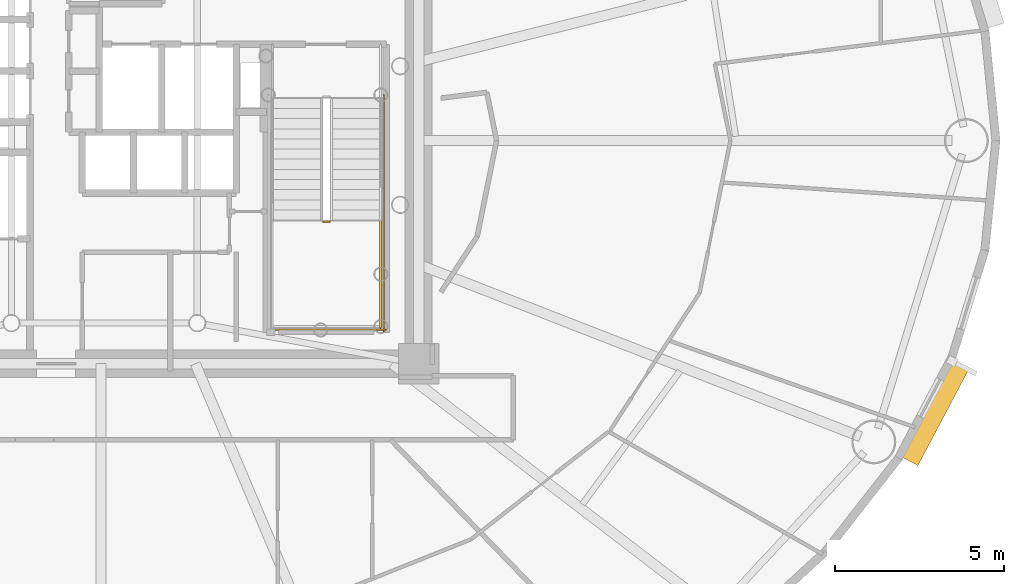
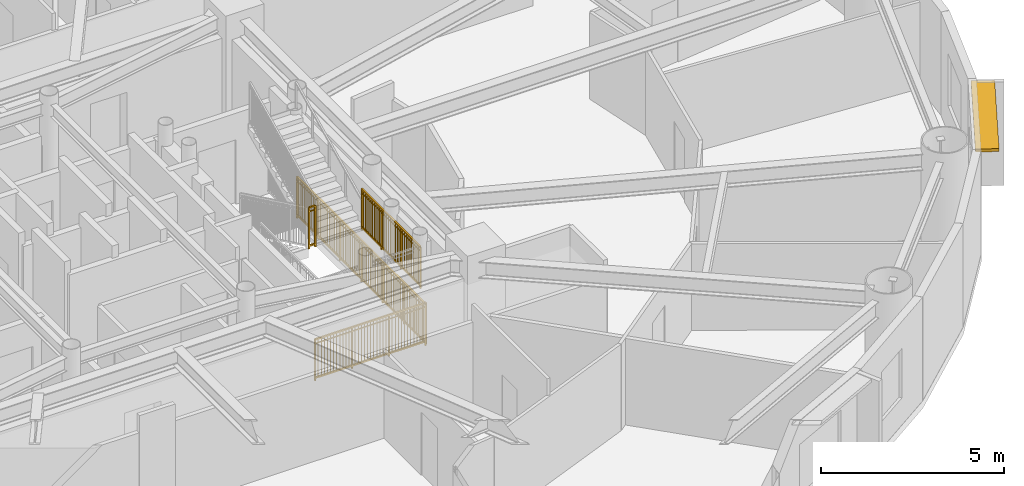
# One storey, part 16 of 17: 4 railings, 1 shading device.
"""IFC4 building model written with IfcOpenShell, lengths in metres."""

from ifc_helpers import new_model, si_unit, direction, frame, origin, origin_2d, place, context, subcontext, project, spatial, rectangle, extrude, source, transform, mapped, material, layer, layer_set, type_object, element, save


model = new_model("IFC4")

# Units and contexts
model_context = context("Model", 3, precision=1e-05, world=origin(), true_north=direction((0.0, 1.0)))
body_context = subcontext(model_context, "Body", "Model", "MODEL_VIEW")
ifc_project = project(units=[si_unit("LENGTHUNIT", "METRE"), si_unit("AREAUNIT", "SQUARE_METRE"), si_unit("VOLUMEUNIT", "CUBIC_METRE"), si_unit("PLANEANGLEUNIT", "RADIAN"), si_unit("MASSUNIT", "GRAM", prefix="KILO")], contexts=[model_context])

# Site, building, storey
site_placement = place(None, origin())
site = spatial("IfcSite", under=ifc_project, at=site_placement, CompositionType="ELEMENT")
building_placement = place(site_placement, origin())
building = spatial("IfcBuilding", under=site, at=building_placement, Name="Linh Dai School and Residence Tower", CompositionType="ELEMENT")
storey_placement = place(building_placement, frame((0.0, 0.0, 201.14990234375)))
storey = spatial("IfcBuildingStorey", under=building, at=storey_placement, Name="L49", CompositionType="ELEMENT", Elevation=201.14990234375)

# Shading device
ifc_material_1 = material(Name="Terracotta Ceramic Sunshade", Category="masonry")
ifc_layer = layer(ifc_material_1, 0.10009765625)
ifc_layer_set = layer_set([ifc_layer], Name="Terracotta Ceramic Sunshade")
shading_device_type = type_object("IfcShadingDeviceType", Name="SHD-TC-650", PredefinedType="USERDEFINED", material=ifc_layer_set)
shared_shape_1 = source(origin(), body_context, "Body", "SweptSolid", [
    extrude(rectangle(XDim=3.257568359375, YDim=0.64990234375, at=origin_2d()), origin(), (0.0, 0.0, 1.0), 0.10009765625),
])
shading_device_placement = place(storey_placement, frame((60.641357421875, 18.97802734375, 3.330078125), z_axis=(0.0, 0.0, 1.0), x_axis=(-0.467580060884, -0.883950726378, 0.0)))
element("IfcShadingDevice", 1, at=shading_device_placement, inside=storey, type_object=shading_device_type, Name="L49 Terracotta Horizontal Sunshade Band 38", ObjectType="SUNSHADE", PredefinedType="USERDEFINED", context=body_context, shape_type="MappedRepresentation", body=[
    mapped(shared_shape_1, transform((0.0, 0.0, 0.0), x_axis=(1.0, 0.0, 0.0), y_axis=(0.0, 1.0, 0.0), z_axis=(0.0, 0.0, 1.0), scale=1.0)),
])

# Railings
ifc_material_2 = material(Name="Structural Steel S355JR", Category="steel")
railing_type = type_object("IfcRailingType", Name="RL-ST-GUARD-1400", PredefinedType="GUARDRAIL", material=ifc_material_2)
shared_shape_2 = source(origin(), body_context, "Body", "SweptSolid", [
    extrude(rectangle(XDim=0.048095703125, YDim=0.048095703125, at=origin_2d()), frame((0.0, 0.0, 1.3759765625), z_axis=(1.0, 0.0, 0.0), x_axis=(0.0, 1.0, 0.0)), (0.0, 0.0, 1.0), 0.199951171875),
    extrude(rectangle(XDim=0.048095703125, YDim=0.048095703125, at=origin_2d()), frame((0.0, 0.0, 0.10009765625), z_axis=(1.0, 0.0, 0.0), x_axis=(0.0, 1.0, 0.0)), (0.0, 0.0, 1.0), 0.199951171875),
    extrude(rectangle(XDim=0.030029296875, YDim=0.030029296875, at=origin_2d()), frame((0.0, 0.0, 1.239990234375), z_axis=(1.0, 0.0, 0.0), x_axis=(0.0, 1.0, 0.0)), (0.0, 0.0, 1.0), 0.199951171875),
    extrude(rectangle(XDim=0.0419921875, YDim=0.0419921875, at=origin_2d()), origin(), (0.0, 0.0, 1.0), 1.3759765625),
    extrude(rectangle(XDim=0.0419921875, YDim=0.0419921875, at=origin_2d()), frame((0.199951171875, 0.0, 0.0)), (0.0, 0.0, 1.0), 1.3759765625),
])
railing_1_placement = place(storey_placement, frame((42.570068359375, 24.60009765625, 1.875)))
element("IfcRailing", 2, at=railing_1_placement, inside=storey, type_object=railing_type, Name="L49 ST2 stair guard 2", PredefinedType="GUARDRAIL", context=body_context, shape_type="MappedRepresentation", body=[
    mapped(shared_shape_2, transform((0.0, 0.0, 0.0), x_axis=(1.0, 0.0, 0.0), y_axis=(0.0, 1.0, 0.0), z_axis=(0.0, 0.0, 1.0), scale=1.0)),
])
shared_shape_3 = source(origin(), body_context, "Body", "SweptSolid", [
    extrude(rectangle(XDim=0.048095703125, YDim=0.048095703125, at=origin_2d()), frame((0.0, 0.0, 1.3759765625), z_axis=(0.0, -1.0, 0.0), x_axis=(1.0, 0.0, 0.0)), (0.0, 0.0, 1.0), 7.0),
    extrude(rectangle(XDim=0.048095703125, YDim=0.048095703125, at=origin_2d()), frame((0.0, 0.0, 0.10009765625), z_axis=(0.0, -1.0, 0.0), x_axis=(1.0, 0.0, 0.0)), (0.0, 0.0, 1.0), 7.0),
    extrude(rectangle(XDim=0.030029296875, YDim=0.030029296875, at=origin_2d()), frame((0.0, 0.0, 1.239990234375), z_axis=(0.0, -1.0, 0.0), x_axis=(1.0, 0.0, 0.0)), (0.0, 0.0, 1.0), 7.0),
    extrude(rectangle(XDim=0.02001953125, YDim=0.02001953125, at=origin_2d()), frame((0.0, -0.09716796875, 0.10009765625)), (0.0, 0.0, 1.0), 1.251708984375),
    extrude(rectangle(XDim=0.02001953125, YDim=0.02001953125, at=origin_2d()), frame((0.0, -0.1943359375, 0.10009765625)), (0.0, 0.0, 1.0), 1.251708984375),
    extrude(rectangle(XDim=0.02001953125, YDim=0.02001953125, at=origin_2d()), frame((0.0, -0.291748046875, 0.10009765625)), (0.0, 0.0, 1.0), 1.251708984375),
    extrude(rectangle(XDim=0.02001953125, YDim=0.02001953125, at=origin_2d()), frame((0.0, -0.388916015625, 0.10009765625)), (0.0, 0.0, 1.0), 1.251708984375),
    extrude(rectangle(XDim=0.02001953125, YDim=0.02001953125, at=origin_2d()), frame((0.0, -0.486083984375, 0.10009765625)), (0.0, 0.0, 1.0), 1.251708984375),
    extrude(rectangle(XDim=0.02001953125, YDim=0.02001953125, at=origin_2d()), frame((0.0, -0.583251953125, 0.10009765625)), (0.0, 0.0, 1.0), 1.251708984375),
    extrude(rectangle(XDim=0.02001953125, YDim=0.02001953125, at=origin_2d()), frame((0.0, -0.6806640625, 0.10009765625)), (0.0, 0.0, 1.0), 1.251708984375),
    extrude(rectangle(XDim=0.02001953125, YDim=0.02001953125, at=origin_2d()), frame((0.0, -0.77783203125, 0.10009765625)), (0.0, 0.0, 1.0), 1.251708984375),
    extrude(rectangle(XDim=0.02001953125, YDim=0.02001953125, at=origin_2d()), frame((0.0, -0.875, 0.10009765625)), (0.0, 0.0, 1.0), 1.251708984375),
    extrude(rectangle(XDim=0.02001953125, YDim=0.02001953125, at=origin_2d()), frame((0.0, -0.97216796875, 0.10009765625)), (0.0, 0.0, 1.0), 1.251708984375),
    extrude(rectangle(XDim=0.02001953125, YDim=0.02001953125, at=origin_2d()), frame((0.0, -1.0693359375, 0.10009765625)), (0.0, 0.0, 1.0), 1.251708984375),
    extrude(rectangle(XDim=0.02001953125, YDim=0.02001953125, at=origin_2d()), frame((0.0, -1.263916015625, 0.10009765625)), (0.0, 0.0, 1.0), 1.251708984375),
    extrude(rectangle(XDim=0.02001953125, YDim=0.02001953125, at=origin_2d()), frame((0.0, -1.361083984375, 0.10009765625)), (0.0, 0.0, 1.0), 1.251708984375),
    extrude(rectangle(XDim=0.02001953125, YDim=0.02001953125, at=origin_2d()), frame((0.0, -1.458251953125, 0.10009765625)), (0.0, 0.0, 1.0), 1.251708984375),
    extrude(rectangle(XDim=0.02001953125, YDim=0.02001953125, at=origin_2d()), frame((0.0, -1.5556640625, 0.10009765625)), (0.0, 0.0, 1.0), 1.251708984375),
    extrude(rectangle(XDim=0.02001953125, YDim=0.02001953125, at=origin_2d()), frame((0.0, -1.65283203125, 0.10009765625)), (0.0, 0.0, 1.0), 1.251708984375),
    extrude(rectangle(XDim=0.02001953125, YDim=0.02001953125, at=origin_2d()), frame((0.0, -1.75, 0.10009765625)), (0.0, 0.0, 1.0), 1.251708984375),
    extrude(rectangle(XDim=0.02001953125, YDim=0.02001953125, at=origin_2d()), frame((0.0, -1.84716796875, 0.10009765625)), (0.0, 0.0, 1.0), 1.251708984375),
    extrude(rectangle(XDim=0.02001953125, YDim=0.02001953125, at=origin_2d()), frame((0.0, -1.9443359375, 0.10009765625)), (0.0, 0.0, 1.0), 1.251708984375),
    extrude(rectangle(XDim=0.02001953125, YDim=0.02001953125, at=origin_2d()), frame((0.0, -2.041748046875, 0.10009765625)), (0.0, 0.0, 1.0), 1.251708984375),
    extrude(rectangle(XDim=0.02001953125, YDim=0.02001953125, at=origin_2d()), frame((0.0, -2.138916015625, 0.10009765625)), (0.0, 0.0, 1.0), 1.251708984375),
    extrude(rectangle(XDim=0.02001953125, YDim=0.02001953125, at=origin_2d()), frame((0.0, -2.236083984375, 0.10009765625)), (0.0, 0.0, 1.0), 1.251708984375),
    extrude(rectangle(XDim=0.02001953125, YDim=0.02001953125, at=origin_2d()), frame((0.0, -2.4306640625, 0.10009765625)), (0.0, 0.0, 1.0), 1.251708984375),
    extrude(rectangle(XDim=0.02001953125, YDim=0.02001953125, at=origin_2d()), frame((0.0, -2.52783203125, 0.10009765625)), (0.0, 0.0, 1.0), 1.251708984375),
    extrude(rectangle(XDim=0.02001953125, YDim=0.02001953125, at=origin_2d()), frame((0.0, -2.625, 0.10009765625)), (0.0, 0.0, 1.0), 1.251708984375),
    extrude(rectangle(XDim=0.02001953125, YDim=0.02001953125, at=origin_2d()), frame((0.0, -2.72216796875, 0.10009765625)), (0.0, 0.0, 1.0), 1.251708984375),
    extrude(rectangle(XDim=0.02001953125, YDim=0.02001953125, at=origin_2d()), frame((0.0, -2.8193359375, 0.10009765625)), (0.0, 0.0, 1.0), 1.251708984375),
    extrude(rectangle(XDim=0.02001953125, YDim=0.02001953125, at=origin_2d()), frame((0.0, -2.916748046875, 0.10009765625)), (0.0, 0.0, 1.0), 1.251708984375),
    extrude(rectangle(XDim=0.02001953125, YDim=0.02001953125, at=origin_2d()), frame((0.0, -3.013916015625, 0.10009765625)), (0.0, 0.0, 1.0), 1.251708984375),
    extrude(rectangle(XDim=0.02001953125, YDim=0.02001953125, at=origin_2d()), frame((0.0, -3.111083984375, 0.10009765625)), (0.0, 0.0, 1.0), 1.251708984375),
    extrude(rectangle(XDim=0.02001953125, YDim=0.02001953125, at=origin_2d()), frame((0.0, -3.208251953125, 0.10009765625)), (0.0, 0.0, 1.0), 1.251708984375),
    extrude(rectangle(XDim=0.02001953125, YDim=0.02001953125, at=origin_2d()), frame((0.0, -3.3056640625, 0.10009765625)), (0.0, 0.0, 1.0), 1.251708984375),
    extrude(rectangle(XDim=0.02001953125, YDim=0.02001953125, at=origin_2d()), frame((0.0, -3.40283203125, 0.10009765625)), (0.0, 0.0, 1.0), 1.251708984375),
    extrude(rectangle(XDim=0.02001953125, YDim=0.02001953125, at=origin_2d()), frame((0.0, -3.59716796875, 0.10009765625)), (0.0, 0.0, 1.0), 1.251708984375),
    extrude(rectangle(XDim=0.02001953125, YDim=0.02001953125, at=origin_2d()), frame((0.0, -3.6943359375, 0.10009765625)), (0.0, 0.0, 1.0), 1.251708984375),
    extrude(rectangle(XDim=0.02001953125, YDim=0.02001953125, at=origin_2d()), frame((0.0, -3.791748046875, 0.10009765625)), (0.0, 0.0, 1.0), 1.251708984375),
    extrude(rectangle(XDim=0.02001953125, YDim=0.02001953125, at=origin_2d()), frame((0.0, -3.888916015625, 0.10009765625)), (0.0, 0.0, 1.0), 1.251708984375),
    extrude(rectangle(XDim=0.02001953125, YDim=0.02001953125, at=origin_2d()), frame((0.0, -3.986083984375, 0.10009765625)), (0.0, 0.0, 1.0), 1.251708984375),
    extrude(rectangle(XDim=0.02001953125, YDim=0.02001953125, at=origin_2d()), frame((0.0, -4.083251953125, 0.10009765625)), (0.0, 0.0, 1.0), 1.251708984375),
    extrude(rectangle(XDim=0.02001953125, YDim=0.02001953125, at=origin_2d()), frame((0.0, -4.1806640625, 0.10009765625)), (0.0, 0.0, 1.0), 1.251708984375),
    extrude(rectangle(XDim=0.02001953125, YDim=0.02001953125, at=origin_2d()), frame((0.0, -4.27783203125, 0.10009765625)), (0.0, 0.0, 1.0), 1.251708984375),
    extrude(rectangle(XDim=0.02001953125, YDim=0.02001953125, at=origin_2d()), frame((0.0, -4.375, 0.10009765625)), (0.0, 0.0, 1.0), 1.251708984375),
    extrude(rectangle(XDim=0.02001953125, YDim=0.02001953125, at=origin_2d()), frame((0.0, -4.47216796875, 0.10009765625)), (0.0, 0.0, 1.0), 1.251708984375),
    extrude(rectangle(XDim=0.02001953125, YDim=0.02001953125, at=origin_2d()), frame((0.0, -4.5693359375, 0.10009765625)), (0.0, 0.0, 1.0), 1.251708984375),
    extrude(rectangle(XDim=0.02001953125, YDim=0.02001953125, at=origin_2d()), frame((0.0, -4.763916015625, 0.10009765625)), (0.0, 0.0, 1.0), 1.251708984375),
    extrude(rectangle(XDim=0.02001953125, YDim=0.02001953125, at=origin_2d()), frame((0.0, -4.861083984375, 0.10009765625)), (0.0, 0.0, 1.0), 1.251708984375),
    extrude(rectangle(XDim=0.02001953125, YDim=0.02001953125, at=origin_2d()), frame((0.0, -4.958251953125, 0.10009765625)), (0.0, 0.0, 1.0), 1.251708984375),
    extrude(rectangle(XDim=0.02001953125, YDim=0.02001953125, at=origin_2d()), frame((0.0, -5.0556640625, 0.10009765625)), (0.0, 0.0, 1.0), 1.251708984375),
    extrude(rectangle(XDim=0.02001953125, YDim=0.02001953125, at=origin_2d()), frame((0.0, -5.15283203125, 0.10009765625)), (0.0, 0.0, 1.0), 1.251708984375),
    extrude(rectangle(XDim=0.02001953125, YDim=0.02001953125, at=origin_2d()), frame((0.0, -5.25, 0.10009765625)), (0.0, 0.0, 1.0), 1.251708984375),
    extrude(rectangle(XDim=0.02001953125, YDim=0.02001953125, at=origin_2d()), frame((0.0, -5.34716796875, 0.10009765625)), (0.0, 0.0, 1.0), 1.251708984375),
    extrude(rectangle(XDim=0.02001953125, YDim=0.02001953125, at=origin_2d()), frame((0.0, -5.4443359375, 0.10009765625)), (0.0, 0.0, 1.0), 1.251708984375),
    extrude(rectangle(XDim=0.02001953125, YDim=0.02001953125, at=origin_2d()), frame((0.0, -5.541748046875, 0.10009765625)), (0.0, 0.0, 1.0), 1.251708984375),
    extrude(rectangle(XDim=0.02001953125, YDim=0.02001953125, at=origin_2d()), frame((0.0, -5.638916015625, 0.10009765625)), (0.0, 0.0, 1.0), 1.251708984375),
    extrude(rectangle(XDim=0.02001953125, YDim=0.02001953125, at=origin_2d()), frame((0.0, -5.736083984375, 0.10009765625)), (0.0, 0.0, 1.0), 1.251708984375),
    extrude(rectangle(XDim=0.02001953125, YDim=0.02001953125, at=origin_2d()), frame((0.0, -5.9306640625, 0.10009765625)), (0.0, 0.0, 1.0), 1.251708984375),
    extrude(rectangle(XDim=0.02001953125, YDim=0.02001953125, at=origin_2d()), frame((0.0, -6.02783203125, 0.10009765625)), (0.0, 0.0, 1.0), 1.251708984375),
    extrude(rectangle(XDim=0.02001953125, YDim=0.02001953125, at=origin_2d()), frame((0.0, -6.125, 0.10009765625)), (0.0, 0.0, 1.0), 1.251708984375),
    extrude(rectangle(XDim=0.02001953125, YDim=0.02001953125, at=origin_2d()), frame((0.0, -6.22216796875, 0.10009765625)), (0.0, 0.0, 1.0), 1.251708984375),
    extrude(rectangle(XDim=0.02001953125, YDim=0.02001953125, at=origin_2d()), frame((0.0, -6.3193359375, 0.10009765625)), (0.0, 0.0, 1.0), 1.251708984375),
    extrude(rectangle(XDim=0.02001953125, YDim=0.02001953125, at=origin_2d()), frame((0.0, -6.416748046875, 0.10009765625)), (0.0, 0.0, 1.0), 1.251708984375),
    extrude(rectangle(XDim=0.02001953125, YDim=0.02001953125, at=origin_2d()), frame((0.0, -6.513916015625, 0.10009765625)), (0.0, 0.0, 1.0), 1.251708984375),
    extrude(rectangle(XDim=0.02001953125, YDim=0.02001953125, at=origin_2d()), frame((0.0, -6.611083984375, 0.10009765625)), (0.0, 0.0, 1.0), 1.251708984375),
    extrude(rectangle(XDim=0.02001953125, YDim=0.02001953125, at=origin_2d()), frame((0.0, -6.708251953125, 0.10009765625)), (0.0, 0.0, 1.0), 1.251708984375),
    extrude(rectangle(XDim=0.02001953125, YDim=0.02001953125, at=origin_2d()), frame((0.0, -6.8056640625, 0.10009765625)), (0.0, 0.0, 1.0), 1.251708984375),
    extrude(rectangle(XDim=0.02001953125, YDim=0.02001953125, at=origin_2d()), frame((0.0, -6.90283203125, 0.10009765625)), (0.0, 0.0, 1.0), 1.251708984375),
    extrude(rectangle(XDim=0.0419921875, YDim=0.0419921875, at=origin_2d()), origin(), (0.0, 0.0, 1.0), 1.3759765625),
    extrude(rectangle(XDim=0.0419921875, YDim=0.0419921875, at=origin_2d()), frame((0.0, -1.166748046875, 0.0)), (0.0, 0.0, 1.0), 1.3759765625),
    extrude(rectangle(XDim=0.0419921875, YDim=0.0419921875, at=origin_2d()), frame((0.0, -2.333251953125, 0.0)), (0.0, 0.0, 1.0), 1.3759765625),
    extrude(rectangle(XDim=0.0419921875, YDim=0.0419921875, at=origin_2d()), frame((0.0, -3.5, 0.0)), (0.0, 0.0, 1.0), 1.3759765625),
    extrude(rectangle(XDim=0.0419921875, YDim=0.0419921875, at=origin_2d()), frame((0.0, -4.666748046875, 0.0)), (0.0, 0.0, 1.0), 1.3759765625),
    extrude(rectangle(XDim=0.0419921875, YDim=0.0419921875, at=origin_2d()), frame((0.0, -5.833251953125, 0.0)), (0.0, 0.0, 1.0), 1.3759765625),
    extrude(rectangle(XDim=0.0419921875, YDim=0.0419921875, at=origin_2d()), frame((0.0, -7.0, 0.0)), (0.0, 0.0, 1.0), 1.3759765625),
])
railing_2_placement = place(storey_placement, frame((44.3701171875, 28.35009765625, 0.0)))
element("IfcRailing", 3, at=railing_2_placement, inside=storey, type_object=railing_type, Name="L49 ST2 stair guard 11", PredefinedType="GUARDRAIL", context=body_context, shape_type="MappedRepresentation", body=[
    mapped(shared_shape_3, transform((0.0, 0.0, 0.0), x_axis=(1.0, 0.0, 0.0), y_axis=(0.0, 1.0, 0.0), z_axis=(0.0, 0.0, 1.0), scale=1.0)),
])
shared_shape_4 = source(origin(), body_context, "Body", "SweptSolid", [
    extrude(rectangle(XDim=0.048095703125, YDim=0.048095703125, at=origin_2d()), frame((0.0, 0.0, 1.3759765625), z_axis=(1.0, 0.0, 0.0), x_axis=(0.0, 1.0, 0.0)), (0.0, 0.0, 1.0), 3.5),
    extrude(rectangle(XDim=0.048095703125, YDim=0.048095703125, at=origin_2d()), frame((0.0, 0.0, 0.10009765625), z_axis=(1.0, 0.0, 0.0), x_axis=(0.0, 1.0, 0.0)), (0.0, 0.0, 1.0), 3.5),
    extrude(rectangle(XDim=0.030029296875, YDim=0.030029296875, at=origin_2d()), frame((0.0, 0.0, 1.239990234375), z_axis=(1.0, 0.0, 0.0), x_axis=(0.0, 1.0, 0.0)), (0.0, 0.0, 1.0), 3.5),
    extrude(rectangle(XDim=0.02001953125, YDim=0.02001953125, at=origin_2d()), frame((0.09716796875, 0.0, 0.10009765625)), (0.0, 0.0, 1.0), 1.251708984375),
    extrude(rectangle(XDim=0.02001953125, YDim=0.02001953125, at=origin_2d()), frame((0.1943359375, 0.0, 0.10009765625)), (0.0, 0.0, 1.0), 1.251708984375),
    extrude(rectangle(XDim=0.02001953125, YDim=0.02001953125, at=origin_2d()), frame((0.291748046875, 0.0, 0.10009765625)), (0.0, 0.0, 1.0), 1.251708984375),
    extrude(rectangle(XDim=0.02001953125, YDim=0.02001953125, at=origin_2d()), frame((0.388916015625, 0.0, 0.10009765625)), (0.0, 0.0, 1.0), 1.251708984375),
    extrude(rectangle(XDim=0.02001953125, YDim=0.02001953125, at=origin_2d()), frame((0.486083984375, 0.0, 0.10009765625)), (0.0, 0.0, 1.0), 1.251708984375),
    extrude(rectangle(XDim=0.02001953125, YDim=0.02001953125, at=origin_2d()), frame((0.583251953125, 0.0, 0.10009765625)), (0.0, 0.0, 1.0), 1.251708984375),
    extrude(rectangle(XDim=0.02001953125, YDim=0.02001953125, at=origin_2d()), frame((0.6806640625, 0.0, 0.10009765625)), (0.0, 0.0, 1.0), 1.251708984375),
    extrude(rectangle(XDim=0.02001953125, YDim=0.02001953125, at=origin_2d()), frame((0.77783203125, 0.0, 0.10009765625)), (0.0, 0.0, 1.0), 1.251708984375),
    extrude(rectangle(XDim=0.02001953125, YDim=0.02001953125, at=origin_2d()), frame((0.875, 0.0, 0.10009765625)), (0.0, 0.0, 1.0), 1.251708984375),
    extrude(rectangle(XDim=0.02001953125, YDim=0.02001953125, at=origin_2d()), frame((0.97216796875, 0.0, 0.10009765625)), (0.0, 0.0, 1.0), 1.251708984375),
    extrude(rectangle(XDim=0.02001953125, YDim=0.02001953125, at=origin_2d()), frame((1.0693359375, 0.0, 0.10009765625)), (0.0, 0.0, 1.0), 1.251708984375),
    extrude(rectangle(XDim=0.02001953125, YDim=0.02001953125, at=origin_2d()), frame((1.263916015625, 0.0, 0.10009765625)), (0.0, 0.0, 1.0), 1.251708984375),
    extrude(rectangle(XDim=0.02001953125, YDim=0.02001953125, at=origin_2d()), frame((1.361083984375, 0.0, 0.10009765625)), (0.0, 0.0, 1.0), 1.251708984375),
    extrude(rectangle(XDim=0.02001953125, YDim=0.02001953125, at=origin_2d()), frame((1.458251953125, 0.0, 0.10009765625)), (0.0, 0.0, 1.0), 1.251708984375),
    extrude(rectangle(XDim=0.02001953125, YDim=0.02001953125, at=origin_2d()), frame((1.5556640625, 0.0, 0.10009765625)), (0.0, 0.0, 1.0), 1.251708984375),
    extrude(rectangle(XDim=0.02001953125, YDim=0.02001953125, at=origin_2d()), frame((1.65283203125, 0.0, 0.10009765625)), (0.0, 0.0, 1.0), 1.251708984375),
    extrude(rectangle(XDim=0.02001953125, YDim=0.02001953125, at=origin_2d()), frame((1.75, 0.0, 0.10009765625)), (0.0, 0.0, 1.0), 1.251708984375),
    extrude(rectangle(XDim=0.02001953125, YDim=0.02001953125, at=origin_2d()), frame((1.84716796875, 0.0, 0.10009765625)), (0.0, 0.0, 1.0), 1.251708984375),
    extrude(rectangle(XDim=0.02001953125, YDim=0.02001953125, at=origin_2d()), frame((1.9443359375, 0.0, 0.10009765625)), (0.0, 0.0, 1.0), 1.251708984375),
    extrude(rectangle(XDim=0.02001953125, YDim=0.02001953125, at=origin_2d()), frame((2.041748046875, 0.0, 0.10009765625)), (0.0, 0.0, 1.0), 1.251708984375),
    extrude(rectangle(XDim=0.02001953125, YDim=0.02001953125, at=origin_2d()), frame((2.138916015625, 0.0, 0.10009765625)), (0.0, 0.0, 1.0), 1.251708984375),
    extrude(rectangle(XDim=0.02001953125, YDim=0.02001953125, at=origin_2d()), frame((2.236083984375, 0.0, 0.10009765625)), (0.0, 0.0, 1.0), 1.251708984375),
    extrude(rectangle(XDim=0.02001953125, YDim=0.02001953125, at=origin_2d()), frame((2.4306640625, 0.0, 0.10009765625)), (0.0, 0.0, 1.0), 1.251708984375),
    extrude(rectangle(XDim=0.02001953125, YDim=0.02001953125, at=origin_2d()), frame((2.52783203125, 0.0, 0.10009765625)), (0.0, 0.0, 1.0), 1.251708984375),
    extrude(rectangle(XDim=0.02001953125, YDim=0.02001953125, at=origin_2d()), frame((2.625, 0.0, 0.10009765625)), (0.0, 0.0, 1.0), 1.251708984375),
    extrude(rectangle(XDim=0.02001953125, YDim=0.02001953125, at=origin_2d()), frame((2.72216796875, 0.0, 0.10009765625)), (0.0, 0.0, 1.0), 1.251708984375),
    extrude(rectangle(XDim=0.02001953125, YDim=0.02001953125, at=origin_2d()), frame((2.8193359375, 0.0, 0.10009765625)), (0.0, 0.0, 1.0), 1.251708984375),
    extrude(rectangle(XDim=0.02001953125, YDim=0.02001953125, at=origin_2d()), frame((2.916748046875, 0.0, 0.10009765625)), (0.0, 0.0, 1.0), 1.251708984375),
    extrude(rectangle(XDim=0.02001953125, YDim=0.02001953125, at=origin_2d()), frame((3.013916015625, 0.0, 0.10009765625)), (0.0, 0.0, 1.0), 1.251708984375),
    extrude(rectangle(XDim=0.02001953125, YDim=0.02001953125, at=origin_2d()), frame((3.111083984375, 0.0, 0.10009765625)), (0.0, 0.0, 1.0), 1.251708984375),
    extrude(rectangle(XDim=0.02001953125, YDim=0.02001953125, at=origin_2d()), frame((3.208251953125, 0.0, 0.10009765625)), (0.0, 0.0, 1.0), 1.251708984375),
    extrude(rectangle(XDim=0.02001953125, YDim=0.02001953125, at=origin_2d()), frame((3.3056640625, 0.0, 0.10009765625)), (0.0, 0.0, 1.0), 1.251708984375),
    extrude(rectangle(XDim=0.02001953125, YDim=0.02001953125, at=origin_2d()), frame((3.40283203125, 0.0, 0.10009765625)), (0.0, 0.0, 1.0), 1.251708984375),
    extrude(rectangle(XDim=0.0419921875, YDim=0.0419921875, at=origin_2d()), origin(), (0.0, 0.0, 1.0), 1.3759765625),
    extrude(rectangle(XDim=0.0419921875, YDim=0.0419921875, at=origin_2d()), frame((1.166748046875, 0.0, 0.0)), (0.0, 0.0, 1.0), 1.3759765625),
    extrude(rectangle(XDim=0.0419921875, YDim=0.0419921875, at=origin_2d()), frame((2.333251953125, 0.0, 0.0)), (0.0, 0.0, 1.0), 1.3759765625),
    extrude(rectangle(XDim=0.0419921875, YDim=0.0419921875, at=origin_2d()), frame((3.5, 0.0, 0.0)), (0.0, 0.0, 1.0), 1.3759765625),
])
railing_3_placement = place(storey_placement, frame((40.919921875, 21.39990234375, 0.0)))
element("IfcRailing", 4, at=railing_3_placement, inside=storey, type_object=railing_type, Name="L49 ST2 stair guard 12", PredefinedType="GUARDRAIL", context=body_context, shape_type="MappedRepresentation", body=[
    mapped(shared_shape_4, transform((0.0, 0.0, 0.0), x_axis=(1.0, 0.0, 0.0), y_axis=(0.0, 1.0, 0.0), z_axis=(0.0, 0.0, 1.0), scale=1.0)),
])
shared_shape_5 = source(origin(), body_context, "Body", "SweptSolid", [
    extrude(rectangle(XDim=0.048095703125, YDim=0.048095703125, at=origin_2d()), frame((0.0, 0.0, 1.3759765625), z_axis=(0.0, -1.0, 0.0), x_axis=(1.0, 0.0, 0.0)), (0.0, 0.0, 1.0), 3.199951171875),
    extrude(rectangle(XDim=0.048095703125, YDim=0.048095703125, at=origin_2d()), frame((0.0, 0.0, 0.10009765625), z_axis=(0.0, -1.0, 0.0), x_axis=(1.0, 0.0, 0.0)), (0.0, 0.0, 1.0), 3.199951171875),
    extrude(rectangle(XDim=0.030029296875, YDim=0.030029296875, at=origin_2d()), frame((0.0, 0.0, 1.239990234375), z_axis=(0.0, -1.0, 0.0), x_axis=(1.0, 0.0, 0.0)), (0.0, 0.0, 1.0), 3.199951171875),
    extrude(rectangle(XDim=0.02001953125, YDim=0.02001953125, at=origin_2d()), frame((0.0, -0.096923828125, 0.10009765625)), (0.0, 0.0, 1.0), 1.251708984375),
    extrude(rectangle(XDim=0.02001953125, YDim=0.02001953125, at=origin_2d()), frame((0.0, -0.19384765625, 0.10009765625)), (0.0, 0.0, 1.0), 1.251708984375),
    extrude(rectangle(XDim=0.02001953125, YDim=0.02001953125, at=origin_2d()), frame((0.0, -0.291015625, 0.10009765625)), (0.0, 0.0, 1.0), 1.251708984375),
    extrude(rectangle(XDim=0.02001953125, YDim=0.02001953125, at=origin_2d()), frame((0.0, -0.387939453125, 0.10009765625)), (0.0, 0.0, 1.0), 1.251708984375),
    extrude(rectangle(XDim=0.02001953125, YDim=0.02001953125, at=origin_2d()), frame((0.0, -0.48486328125, 0.10009765625)), (0.0, 0.0, 1.0), 1.251708984375),
    extrude(rectangle(XDim=0.02001953125, YDim=0.02001953125, at=origin_2d()), frame((0.0, -0.581787109375, 0.10009765625)), (0.0, 0.0, 1.0), 1.251708984375),
    extrude(rectangle(XDim=0.02001953125, YDim=0.02001953125, at=origin_2d()), frame((0.0, -0.6787109375, 0.10009765625)), (0.0, 0.0, 1.0), 1.251708984375),
    extrude(rectangle(XDim=0.02001953125, YDim=0.02001953125, at=origin_2d()), frame((0.0, -0.775634765625, 0.10009765625)), (0.0, 0.0, 1.0), 1.251708984375),
    extrude(rectangle(XDim=0.02001953125, YDim=0.02001953125, at=origin_2d()), frame((0.0, -0.872802734375, 0.10009765625)), (0.0, 0.0, 1.0), 1.251708984375),
    extrude(rectangle(XDim=0.02001953125, YDim=0.02001953125, at=origin_2d()), frame((0.0, -0.9697265625, 0.10009765625)), (0.0, 0.0, 1.0), 1.251708984375),
    extrude(rectangle(XDim=0.02001953125, YDim=0.02001953125, at=origin_2d()), frame((0.0, -1.16357421875, 0.10009765625)), (0.0, 0.0, 1.0), 1.251708984375),
    extrude(rectangle(XDim=0.02001953125, YDim=0.02001953125, at=origin_2d()), frame((0.0, -1.260498046875, 0.10009765625)), (0.0, 0.0, 1.0), 1.251708984375),
    extrude(rectangle(XDim=0.02001953125, YDim=0.02001953125, at=origin_2d()), frame((0.0, -1.357666015625, 0.10009765625)), (0.0, 0.0, 1.0), 1.251708984375),
    extrude(rectangle(XDim=0.02001953125, YDim=0.02001953125, at=origin_2d()), frame((0.0, -1.45458984375, 0.10009765625)), (0.0, 0.0, 1.0), 1.251708984375),
    extrude(rectangle(XDim=0.02001953125, YDim=0.02001953125, at=origin_2d()), frame((0.0, -1.551513671875, 0.10009765625)), (0.0, 0.0, 1.0), 1.251708984375),
    extrude(rectangle(XDim=0.02001953125, YDim=0.02001953125, at=origin_2d()), frame((0.0, -1.6484375, 0.10009765625)), (0.0, 0.0, 1.0), 1.251708984375),
    extrude(rectangle(XDim=0.02001953125, YDim=0.02001953125, at=origin_2d()), frame((0.0, -1.745361328125, 0.10009765625)), (0.0, 0.0, 1.0), 1.251708984375),
    extrude(rectangle(XDim=0.02001953125, YDim=0.02001953125, at=origin_2d()), frame((0.0, -1.84228515625, 0.10009765625)), (0.0, 0.0, 1.0), 1.251708984375),
    extrude(rectangle(XDim=0.02001953125, YDim=0.02001953125, at=origin_2d()), frame((0.0, -1.939453125, 0.10009765625)), (0.0, 0.0, 1.0), 1.251708984375),
    extrude(rectangle(XDim=0.02001953125, YDim=0.02001953125, at=origin_2d()), frame((0.0, -2.036376953125, 0.10009765625)), (0.0, 0.0, 1.0), 1.251708984375),
    extrude(rectangle(XDim=0.02001953125, YDim=0.02001953125, at=origin_2d()), frame((0.0, -2.230224609375, 0.10009765625)), (0.0, 0.0, 1.0), 1.251708984375),
    extrude(rectangle(XDim=0.02001953125, YDim=0.02001953125, at=origin_2d()), frame((0.0, -2.3271484375, 0.10009765625)), (0.0, 0.0, 1.0), 1.251708984375),
    extrude(rectangle(XDim=0.02001953125, YDim=0.02001953125, at=origin_2d()), frame((0.0, -2.42431640625, 0.10009765625)), (0.0, 0.0, 1.0), 1.251708984375),
    extrude(rectangle(XDim=0.02001953125, YDim=0.02001953125, at=origin_2d()), frame((0.0, -2.521240234375, 0.10009765625)), (0.0, 0.0, 1.0), 1.251708984375),
    extrude(rectangle(XDim=0.02001953125, YDim=0.02001953125, at=origin_2d()), frame((0.0, -2.6181640625, 0.10009765625)), (0.0, 0.0, 1.0), 1.251708984375),
    extrude(rectangle(XDim=0.02001953125, YDim=0.02001953125, at=origin_2d()), frame((0.0, -2.715087890625, 0.10009765625)), (0.0, 0.0, 1.0), 1.251708984375),
    extrude(rectangle(XDim=0.02001953125, YDim=0.02001953125, at=origin_2d()), frame((0.0, -2.81201171875, 0.10009765625)), (0.0, 0.0, 1.0), 1.251708984375),
    extrude(rectangle(XDim=0.02001953125, YDim=0.02001953125, at=origin_2d()), frame((0.0, -2.908935546875, 0.10009765625)), (0.0, 0.0, 1.0), 1.251708984375),
    extrude(rectangle(XDim=0.02001953125, YDim=0.02001953125, at=origin_2d()), frame((0.0, -3.006103515625, 0.10009765625)), (0.0, 0.0, 1.0), 1.251708984375),
    extrude(rectangle(XDim=0.02001953125, YDim=0.02001953125, at=origin_2d()), frame((0.0, -3.10302734375, 0.10009765625)), (0.0, 0.0, 1.0), 1.251708984375),
    extrude(rectangle(XDim=0.0419921875, YDim=0.0419921875, at=origin_2d()), origin(), (0.0, 0.0, 1.0), 1.3759765625),
    extrude(rectangle(XDim=0.0419921875, YDim=0.0419921875, at=origin_2d()), frame((0.0, -1.066650390625, 0.0)), (0.0, 0.0, 1.0), 1.3759765625),
    extrude(rectangle(XDim=0.0419921875, YDim=0.0419921875, at=origin_2d()), frame((0.0, -2.13330078125, 0.0)), (0.0, 0.0, 1.0), 1.3759765625),
    extrude(rectangle(XDim=0.0419921875, YDim=0.0419921875, at=origin_2d()), frame((0.0, -3.199951171875, 0.0)), (0.0, 0.0, 1.0), 1.3759765625),
])
railing_4_placement = place(storey_placement, frame((44.27001953125, 24.64990234375, 1.875)))
element("IfcRailing", 5, at=railing_4_placement, inside=storey, type_object=railing_type, Name="L49 ST2 stair guard 4", PredefinedType="GUARDRAIL", context=body_context, shape_type="MappedRepresentation", body=[
    mapped(shared_shape_5, transform((0.0, 0.0, 0.0), x_axis=(1.0, 0.0, 0.0), y_axis=(0.0, 1.0, 0.0), z_axis=(0.0, 0.0, 1.0), scale=1.0)),
])

save(model, "model.ifc")
